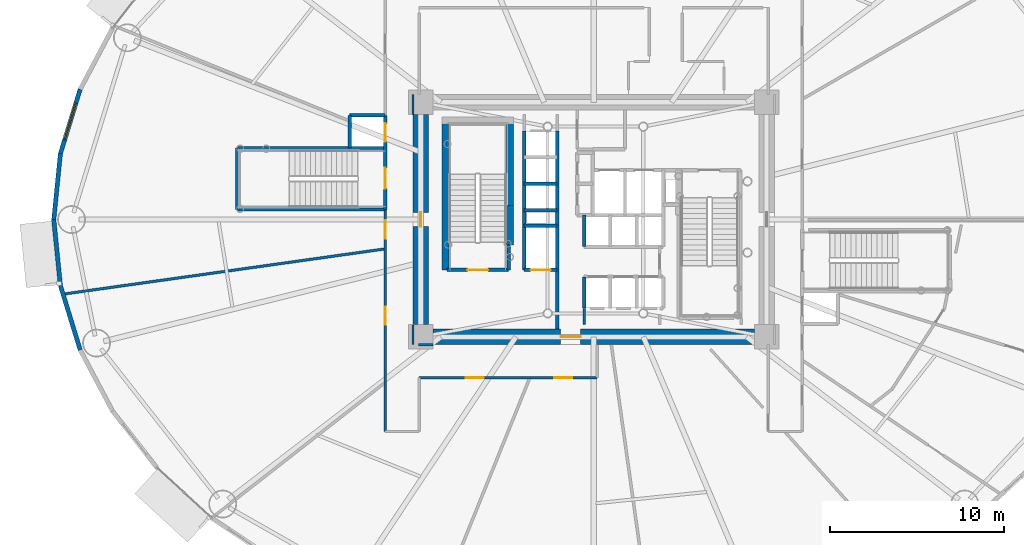
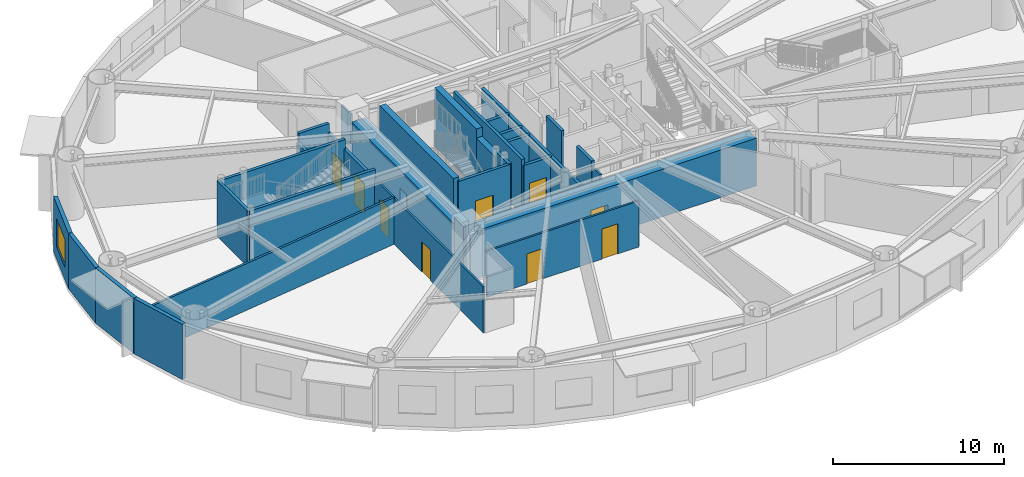
# One storey, part 16 of 32: 32 walls, 10 doors, 1 window, 11 openings.
"""IFC4 building model written with IfcOpenShell, lengths in metres."""

from ifc_helpers import new_model, si_unit, direction, frame, frame_2d, origin, origin_2d, place, context, subcontext, project, spatial, rectangle, extrude, source, transform, mapped, material, layer, layer_set, type_object, element, fill, save


model = new_model("IFC4")

# Units and contexts
model_context = context("Model", 3, precision=1e-05, world=origin(), true_north=direction((0.0, 1.0)))
body_context = subcontext(model_context, "Body", "Model", "MODEL_VIEW")
ifc_project = project(units=[si_unit("LENGTHUNIT", "METRE"), si_unit("AREAUNIT", "SQUARE_METRE"), si_unit("VOLUMEUNIT", "CUBIC_METRE"), si_unit("PLANEANGLEUNIT", "RADIAN"), si_unit("MASSUNIT", "GRAM", prefix="KILO")], contexts=[model_context])

# Site, building, storey
site_placement = place(None, origin())
site = spatial("IfcSite", under=ifc_project, at=site_placement, CompositionType="ELEMENT")
building_placement = place(site_placement, origin())
building = spatial("IfcBuilding", under=site, at=building_placement, Name="Linh Dai School and Residence Tower", CompositionType="ELEMENT")
storey_placement = place(building_placement, frame((0.0, 0.0, 40.800048828125)))
storey = spatial("IfcBuildingStorey", under=building, at=storey_placement, Name="L09", CompositionType="ELEMENT", Elevation=40.800048828125)

# Wall, opening, window
ifc_material_1 = material(Name="Precast Concrete B45 (C35/45)", Category="concrete")
ifc_layer_1 = layer(ifc_material_1, 0.25)
ifc_layer_set_1 = layer_set([ifc_layer_1], Name="Precast Concrete B45 (C35/45)")
wall_type_1 = type_object("IfcWallType", Name="EW-TC-250", PredefinedType="SOLIDWALL", material=ifc_layer_set_1)
wall_1_placement = place(storey_placement, frame((5.306640625, 30.796875, 0.0), z_axis=(0.0, 0.0, 1.0), x_axis=(0.293111631758, 0.956078224482, 0.0)))
wall_1 = element("IfcWall", 1, at=wall_1_placement, inside=storey, type_object=wall_type_1, Name="L09 Terracotta Exterior Wall 19", PredefinedType="SOLIDWALL", context=body_context, shape_type="SweptSolid", body=[
    extrude(rectangle(XDim=3.874755859375, YDim=0.25, at=frame_2d((1.9375, 0.0))), origin(), (0.0, 0.0, 1.0), 3.949951171875),
])
opening_1_placement = place(wall_1_placement, frame((0.83740234375, 0.0, 0.89990234375)))
opening_1 = element("IfcOpeningElement", 2, at=opening_1_placement, cuts=wall_1, Name="Opening W4", PredefinedType="OPENING", context=body_context, shape_type="SweptSolid", body=[
    extrude(rectangle(XDim=2.199951171875, YDim=2.0, at=origin_2d()), frame((1.10009765625, 0.135009765625, 1.0), z_axis=(0.0, -1.0, 0.0), x_axis=(1.0, 0.0, 0.0)), (0.0, 0.0, 1.0), 0.27001953125),
])
ifc_material_2 = material(Name="Acoustic Laminated Low-E Glazing", Category="glass")
window_type = type_object("IfcWindowType", Name="WN-SCH-2200x2000", PartitioningType="TRIPLE_PANEL_VERTICAL", PredefinedType="WINDOW", material=ifc_material_2)
shared_shape_1 = source(origin(), body_context, "Body", "SweptSolid", [
    extrude(rectangle(XDim=2.199951171875, YDim=2.0, at=origin_2d()), frame((1.10009765625, 0.030029296875, 1.0), z_axis=(0.0, -1.0, 0.0), x_axis=(1.0, 0.0, 0.0)), (0.0, 0.0, 1.0), 0.06005859375),
])
window_placement = place(opening_1_placement, origin())
window = element("IfcWindow", 3, at=window_placement, inside=storey, type_object=window_type, Name="L09 Exterior Window 19.1", OverallHeight=2.0, OverallWidth=2.199951171875, PartitioningType="TRIPLE_PANEL_VERTICAL", PredefinedType="WINDOW", context=body_context, shape_type="MappedRepresentation", body=[
    mapped(shared_shape_1, transform((0.0, 0.0, 0.0), x_axis=(1.0, 0.0, 0.0), y_axis=(0.0, 1.0, 0.0), z_axis=(0.0, 0.0, 1.0), scale=1.0)),
])
fill(opening_1, window)

# Walls
for number, where, z_axis, x_axis, name in (
    (4, (4.925048828125, 27.0, 0.0), (0.0, 0.0, 1.0), (0.099997795174, 0.994987658698, 0.0), "L09 Terracotta Exterior Wall 20"),
    (5, (5.306640625, 23.203125, 0.0), (0.0, 0.0, 1.0), (-0.099997795174, 0.994987658698, 0.0), "L09 Terracotta Exterior Wall 21"),
):
    element("IfcWall", number, at=place(storey_placement, frame(where, z_axis=z_axis, x_axis=x_axis)), inside=storey, type_object=wall_type_1, Name=name, PredefinedType="SOLIDWALL", context=body_context, shape_type="SweptSolid", body=[
        extrude(rectangle(XDim=3.81591796875, YDim=0.25, at=frame_2d((1.907958984375, 0.0))), origin(), (0.0, 0.0, 1.0), 3.949951171875),
    ])
wall_2_placement = place(storey_placement, frame((6.4423828125, 19.49853515625, 0.0), z_axis=(0.0, 0.0, 1.0), x_axis=(-0.293111631758, 0.956078224482, 0.0)))
element("IfcWall", 6, at=wall_2_placement, inside=storey, type_object=wall_type_1, Name="L09 Terracotta Exterior Wall 22", PredefinedType="SOLIDWALL", context=body_context, shape_type="SweptSolid", body=[
    extrude(rectangle(XDim=3.874755859375, YDim=0.25, at=frame_2d((1.9375, 0.0))), origin(), (0.0, 0.0, 1.0), 3.949951171875),
])

# Wall, openings, doors
ifc_material_3 = material(Name="Autoclaved Aerated Concrete Blockwork", Category="masonry")
ifc_layer_2 = layer(ifc_material_3, 0.135009765625)
ifc_layer_set_2 = layer_set([ifc_layer_2], Name="Autoclaved Aerated Concrete Blockwork")
wall_type_2 = type_object("IfcWallType", Name="IW-CORR-135-EI90", PredefinedType="PARTITIONING", material=ifc_layer_set_2)
wall_3_placement = place(storey_placement, frame((24.0, 14.800048828125, 0.0), z_axis=(0.0, 0.0, 1.0), x_axis=(0.0, 1.0, 0.0)))
wall_3 = element("IfcWall", 7, at=wall_3_placement, inside=storey, type_object=wall_type_2, Name="L09 Interior Partition Wall 010", PredefinedType="PARTITIONING", context=body_context, shape_type="SweptSolid", body=[
    extrude(rectangle(XDim=12.780029296875, YDim=0.135009765625, at=frame_2d((6.39013671875, 0.0))), origin(), (0.0, 0.0, 1.0), 3.284912109375),
])
opening_2_placement = place(wall_3_placement, frame((11.101806640625, 0.0, 0.0)))
opening_2 = element("IfcOpeningElement", 8, at=opening_2_placement, cuts=wall_3, Name="Opening D04", PredefinedType="OPENING", context=body_context, shape_type="SweptSolid", body=[
    extrude(rectangle(XDim=1.050048828125, YDim=2.14990234375, at=origin_2d()), frame((0.52490234375, 0.07763671875, 1.074951171875), z_axis=(0.0, -1.0, 0.0), x_axis=(1.0, 0.0, 0.0)), (0.0, 0.0, 1.0), 0.155029296875),
])
opening_3_placement = place(wall_3_placement, frame((6.14404296875, 0.0, 0.0)))
opening_3 = element("IfcOpeningElement", 9, at=opening_3_placement, cuts=wall_3, Name="Opening D04", PredefinedType="OPENING", context=body_context, shape_type="SweptSolid", body=[
    extrude(rectangle(XDim=1.050048828125, YDim=2.14990234375, at=origin_2d()), frame((0.52490234375, 0.07763671875, 1.074951171875), z_axis=(0.0, -1.0, 0.0), x_axis=(1.0, 0.0, 0.0)), (0.0, 0.0, 1.0), 0.155029296875),
])
ifc_material_4 = material(Name="Acoustic Vision-Panel Timber Classroom Door", Category="wood")
door_type_1 = type_object("IfcDoorType", Name="DR-SCH-1050x2150-FD60S", OperationType="NOTDEFINED", PredefinedType="DOOR", material=ifc_material_4)
shared_shape_2 = source(origin(), body_context, "Body", "SweptSolid", [
    extrude(rectangle(XDim=1.050048828125, YDim=2.14990234375, at=origin_2d()), frame((0.52490234375, 0.02490234375, 1.074951171875), z_axis=(0.0, -1.0, 0.0), x_axis=(1.0, 0.0, 0.0)), (0.0, 0.0, 1.0), 0.050048828125),
])
door_1_placement = place(opening_2_placement, origin())
door_1 = element("IfcDoor", 10, at=door_1_placement, inside=storey, type_object=door_type_1, Name="L09 Secondary Classroom 5 Door", OperationType="SINGLE_SWING_RIGHT", OverallHeight=2.14990234375, OverallWidth=1.050048828125, PredefinedType="DOOR", context=body_context, shape_type="MappedRepresentation", body=[
    mapped(shared_shape_2, transform((0.0, 0.0, 0.0), x_axis=(1.0, 0.0, 0.0), y_axis=(0.0, 1.0, 0.0), z_axis=(0.0, 0.0, 1.0), scale=1.0)),
])
fill(opening_2, door_1)
door_2_placement = place(opening_3_placement, origin())
door_2 = element("IfcDoor", 11, at=door_2_placement, inside=storey, type_object=door_type_1, Name="L09 Secondary Classroom 6 Door", OperationType="SINGLE_SWING_LEFT", OverallHeight=2.14990234375, OverallWidth=1.050048828125, PredefinedType="DOOR", context=body_context, shape_type="MappedRepresentation", body=[
    mapped(shared_shape_2, transform((0.0, 0.0, 0.0), x_axis=(1.0, 0.0, 0.0), y_axis=(0.0, 1.0, 0.0), z_axis=(0.0, 0.0, 1.0), scale=1.0)),
])
fill(opening_3, door_2)

wall_4_placement = place(storey_placement, frame((25.949951171875, 17.89990234375, 0.0), z_axis=(0.0, 0.0, 1.0), x_axis=(1.0, 0.0, 0.0)))
wall_4 = element("IfcWall", 12, at=wall_4_placement, inside=storey, type_object=wall_type_2, Name="L09 Interior Partition Wall 016", PredefinedType="PARTITIONING", context=body_context, shape_type="SweptSolid", body=[
    extrude(rectangle(XDim=10.25, YDim=0.135009765625, at=frame_2d((5.125, 0.0))), origin(), (0.0, 0.0, 1.0), 3.284912109375),
])
opening_4_placement = place(wall_4_placement, frame((2.681640625, 0.0, 0.0)))
opening_4 = element("IfcOpeningElement", 13, at=opening_4_placement, cuts=wall_4, Name="Opening D04", PredefinedType="OPENING", context=body_context, shape_type="SweptSolid", body=[
    extrude(rectangle(XDim=1.050048828125, YDim=2.14990234375, at=origin_2d()), frame((0.52490234375, 0.07763671875, 1.074951171875), z_axis=(0.0, -1.0, 0.0), x_axis=(1.0, 0.0, 0.0)), (0.0, 0.0, 1.0), 0.155029296875),
])
opening_5_placement = place(wall_4_placement, frame((7.7666015625, 0.0, 0.0)))
opening_5 = element("IfcOpeningElement", 14, at=opening_5_placement, cuts=wall_4, Name="Opening D04", PredefinedType="OPENING", context=body_context, shape_type="SweptSolid", body=[
    extrude(rectangle(XDim=1.050048828125, YDim=2.14990234375, at=origin_2d()), frame((0.52490234375, 0.07763671875, 1.074951171875), z_axis=(0.0, -1.0, 0.0), x_axis=(1.0, 0.0, 0.0)), (0.0, 0.0, 1.0), 0.155029296875),
])
door_3_placement = place(opening_4_placement, origin())
door_3 = element("IfcDoor", 15, at=door_3_placement, inside=storey, type_object=door_type_1, Name="L09 Secondary Classroom 7 Door", OperationType="SINGLE_SWING_RIGHT", OverallHeight=2.14990234375, OverallWidth=1.050048828125, PredefinedType="DOOR", context=body_context, shape_type="MappedRepresentation", body=[
    mapped(shared_shape_2, transform((0.0, 0.0, 0.0), x_axis=(1.0, 0.0, 0.0), y_axis=(0.0, 1.0, 0.0), z_axis=(0.0, 0.0, 1.0), scale=1.0)),
])
fill(opening_4, door_3)
door_4_placement = place(opening_5_placement, origin())
door_4 = element("IfcDoor", 16, at=door_4_placement, inside=storey, type_object=door_type_1, Name="L09 Secondary Classroom 8 Door", OperationType="SINGLE_SWING_LEFT", OverallHeight=2.14990234375, OverallWidth=1.050048828125, PredefinedType="DOOR", context=body_context, shape_type="MappedRepresentation", body=[
    mapped(shared_shape_2, transform((0.0, 0.0, 0.0), x_axis=(1.0, 0.0, 0.0), y_axis=(0.0, 1.0, 0.0), z_axis=(0.0, 0.0, 1.0), scale=1.0)),
])
fill(opening_5, door_4)

# Walls
wall_5_placement = place(storey_placement, frame((35.449951171875, 21.889892578125, 0.0), z_axis=(0.0, 0.0, 1.0), x_axis=(0.0, -1.0, 0.0)))
element("IfcWall", 17, at=wall_5_placement, inside=storey, type_object=wall_type_2, Name="L09 Interior Partition Wall 083", PredefinedType="PARTITIONING", context=body_context, shape_type="SweptSolid", body=[
    extrude(rectangle(XDim=0.929931640625, YDim=0.135009765625, at=frame_2d((0.46484375, 0.0))), origin(), (0.0, 0.0, 1.0), 3.534912109375),
])
for number, where, z_axis, x_axis, name in (
    (18, (25.60009765625, 34.199951171875, 0.0), (0.0, 0.0, 1.0), (0.0, -1.0, 0.0), "L09 Interior Partition Wall 101"),
    (19, (25.60009765625, 20.93994140625, 0.0), (0.0, 0.0, 1.0), (0.0, -1.0, 0.0), "L09 Interior Partition Wall 102"),
):
    element("IfcWall", number, at=place(storey_placement, frame(where, z_axis=z_axis, x_axis=x_axis)), inside=storey, type_object=wall_type_2, Name=name, PredefinedType="PARTITIONING", context=body_context, shape_type="SweptSolid", body=[
        extrude(rectangle(XDim=1.139892578125, YDim=0.135009765625, at=frame_2d((0.56982421875, 0.0))), origin(), (0.0, 0.0, 1.0), 3.949951171875),
    ])
wall_6_placement = place(storey_placement, frame((25.907470703125, 19.800048828125, 0.0), z_axis=(0.0, 0.0, 1.0), x_axis=(1.0, 0.0, 0.0)))
element("IfcWall", 20, at=wall_6_placement, inside=storey, type_object=wall_type_2, Name="L09 Interior Partition Wall 103", PredefinedType="PARTITIONING", context=body_context, shape_type="SweptSolid", body=[
    extrude(rectangle(XDim=0.83251953125, YDim=0.135009765625, at=frame_2d((0.416259765625, 0.0))), origin(), (0.0, 0.0, 1.0), 3.284912109375),
])
ifc_layer_3 = layer(ifc_material_3, 0.14990234375)
ifc_layer_set_3 = layer_set([ifc_layer_3], Name="Autoclaved Aerated Concrete Blockwork")
wall_type_3 = type_object("IfcWallType", Name="IW-SCH-150-EI60", PredefinedType="PARTITIONING", material=ifc_layer_set_3)
wall_7_placement = place(storey_placement, frame((5.45361328125, 22.70703125, 0.0), z_axis=(0.0, 0.0, 1.0), x_axis=(0.990268652703, 0.139168945795, 0.0)))
element("IfcWall", 21, at=wall_7_placement, inside=storey, type_object=wall_type_3, Name="L09 Interior Partition Wall 001", PredefinedType="PARTITIONING", context=body_context, shape_type="SweptSolid", body=[
    extrude(rectangle(XDim=18.728759765625, YDim=0.14990234375, at=frame_2d((9.3642578125, 0.0))), origin(), (0.0, 0.0, 1.0), 3.3349609375),
])
ifc_material_5 = material(Name="Concrete B45 (C35/45)", Category="concrete")
ifc_layer_4 = layer(ifc_material_5, 0.199951171875)
ifc_layer_set_4 = layer_set([ifc_layer_4], Name="Concrete B45 (C35/45)")
wall_type_4 = type_object("IfcWallType", Name="IW-SHAFT-200-EI120", PredefinedType="PARTITIONING", material=ifc_layer_set_4)
wall_8_placement = place(storey_placement, frame((15.47998046875, 27.580078125, 0.0), z_axis=(0.0, 0.0, 1.0), x_axis=(0.0, 1.0, 0.0)))
element("IfcWall", 22, at=wall_8_placement, inside=storey, type_object=wall_type_4, Name="L09 Interior Partition Wall 004", PredefinedType="PARTITIONING", context=body_context, shape_type="SweptSolid", body=[
    extrude(rectangle(XDim=3.5400390625, YDim=0.199951171875, at=frame_2d((1.77001953125, 0.0))), origin(), (0.0, 0.0, 1.0), 3.949951171875),
])
for number, where, z_axis, x_axis, name in (
    (23, (15.47998046875, 27.580078125, 0.0), (0.0, 0.0, 1.0), (1.0, 0.0, 0.0), "L09 Interior Partition Wall 005"),
    (24, (15.47998046875, 31.1201171875, 0.0), (0.0, 0.0, 1.0), (1.0, 0.0, 0.0), "L09 Interior Partition Wall 006"),
):
    element("IfcWall", number, at=place(storey_placement, frame(where, z_axis=z_axis, x_axis=x_axis)), inside=storey, type_object=wall_type_4, Name=name, PredefinedType="PARTITIONING", context=body_context, shape_type="SweptSolid", body=[
        extrude(rectangle(XDim=8.52001953125, YDim=0.199951171875, at=frame_2d((4.260009765625, 0.0))), origin(), (0.0, 0.0, 1.0), 3.949951171875),
    ])
wall_9_placement = place(storey_placement, frame((21.949951171875, 31.1201171875, 0.0), z_axis=(0.0, 0.0, 1.0), x_axis=(0.0, 1.0, 0.0)))
element("IfcWall", 25, at=wall_9_placement, inside=storey, type_object=wall_type_4, Name="L09 Interior Partition Wall 007", PredefinedType="PARTITIONING", context=body_context, shape_type="SweptSolid", body=[
    extrude(rectangle(XDim=1.8798828125, YDim=0.199951171875, at=frame_2d((0.93994140625, 0.0))), origin(), (0.0, 0.0, 1.0), 3.284912109375),
])
wall_10_placement = place(storey_placement, frame((21.949951171875, 33.0, 0.0), z_axis=(0.0, 0.0, 1.0), x_axis=(1.0, 0.0, 0.0)))
element("IfcWall", 26, at=wall_10_placement, inside=storey, type_object=wall_type_4, Name="L09 Interior Partition Wall 008", PredefinedType="PARTITIONING", context=body_context, shape_type="SweptSolid", body=[
    extrude(rectangle(XDim=2.050048828125, YDim=0.199951171875, at=frame_2d((1.02490234375, 0.0))), origin(), (0.0, 0.0, 1.0), 3.949951171875),
])

# Wall, openings, doors
wall_11_placement = place(storey_placement, frame((24.0, 27.590087890625, 0.0), z_axis=(0.0, 0.0, 1.0), x_axis=(0.0, 1.0, 0.0)))
wall_11 = element("IfcWall", 27, at=wall_11_placement, inside=storey, type_object=wall_type_4, Name="L09 Interior Partition Wall 012", PredefinedType="PARTITIONING", context=body_context, shape_type="SweptSolid", body=[
    extrude(rectangle(XDim=5.409912109375, YDim=0.199951171875, at=frame_2d((2.705078125, 0.0))), origin(), (0.0, 0.0, 1.0), 3.284912109375),
])
opening_6_placement = place(wall_11_placement, frame((1.18505859375, 0.0, 0.0)))
opening_6 = element("IfcOpeningElement", 28, at=opening_6_placement, cuts=wall_11, Name="Opening D01", PredefinedType="OPENING", context=body_context, shape_type="SweptSolid", body=[
    extrude(rectangle(XDim=1.199951171875, YDim=2.14990234375, at=origin_2d()), frame((0.60009765625, 0.10986328125, 1.074951171875), z_axis=(0.0, -1.0, 0.0), x_axis=(1.0, 0.0, 0.0)), (0.0, 0.0, 1.0), 0.219970703125),
])
opening_7_placement = place(wall_11_placement, frame((3.889892578125, 0.0, 0.0)))
opening_7 = element("IfcOpeningElement", 29, at=opening_7_placement, cuts=wall_11, Name="Opening LD-SL1", PredefinedType="OPENING", context=body_context, shape_type="SweptSolid", body=[
    extrude(rectangle(XDim=1.050048828125, YDim=2.14990234375, at=origin_2d()), frame((0.52490234375, 0.10986328125, 1.074951171875), z_axis=(0.0, -1.0, 0.0), x_axis=(1.0, 0.0, 0.0)), (0.0, 0.0, 1.0), 0.219970703125),
])
ifc_material_6 = material(Name="Fire-Rated Steel Door Leaf", Category="steel")
door_type_2 = type_object("IfcDoorType", Name="DR-STAIR-1200x2150-FD90S", OperationType="NOTDEFINED", PredefinedType="DOOR", material=ifc_material_6)
shared_shape_3 = source(origin(), body_context, "Body", "SweptSolid", [
    extrude(rectangle(XDim=1.199951171875, YDim=2.14990234375, at=origin_2d()), frame((0.60009765625, 0.02490234375, 1.074951171875), z_axis=(0.0, -1.0, 0.0), x_axis=(1.0, 0.0, 0.0)), (0.0, 0.0, 1.0), 0.050048828125),
])
door_5_placement = place(opening_6_placement, origin())
door_5 = element("IfcDoor", 30, at=door_5_placement, inside=storey, type_object=door_type_2, Name="L09 Exit Stair STS1 Door", OperationType="SINGLE_SWING_LEFT", OverallHeight=2.14990234375, OverallWidth=1.199951171875, PredefinedType="DOOR", context=body_context, shape_type="MappedRepresentation", body=[
    mapped(shared_shape_3, transform((0.0, 0.0, 0.0), x_axis=(1.0, 0.0, 0.0), y_axis=(0.0, 1.0, 0.0), z_axis=(0.0, 0.0, 1.0), scale=1.0)),
])
fill(opening_6, door_5)
ifc_material_7 = material(Name="Brushed Stainless Steel Lift Landing Door", Category="steel")
door_type_3 = type_object("IfcDoorType", Name="DR-LD-PASS-1050x2150", OperationType="DOUBLE_DOOR_SLIDING", PredefinedType="USERDEFINED", material=ifc_material_7)
shared_shape_4 = source(origin(), body_context, "Body", "SweptSolid", [
    extrude(rectangle(XDim=1.050048828125, YDim=2.14990234375, at=origin_2d()), frame((0.52490234375, 0.02490234375, 1.074951171875), z_axis=(0.0, -1.0, 0.0), x_axis=(1.0, 0.0, 0.0)), (0.0, 0.0, 1.0), 0.050048828125),
])
door_6_placement = place(opening_7_placement, origin())
door_6 = element("IfcDoor", 31, at=door_6_placement, inside=storey, type_object=door_type_3, Name="L09 Lift SL1 Sliding Landing Door", ObjectType="LANDING DOOR", OperationType="DOUBLE_DOOR_SLIDING", OverallHeight=2.14990234375, OverallWidth=1.050048828125, PredefinedType="USERDEFINED", context=body_context, shape_type="MappedRepresentation", body=[
    mapped(shared_shape_4, transform((0.0, 0.0, 0.0), x_axis=(1.0, 0.0, 0.0), y_axis=(0.0, 1.0, 0.0), z_axis=(0.0, 0.0, 1.0), scale=1.0)),
])
fill(opening_7, door_6)

# Wall, opening, door
wall_12_placement = place(storey_placement, frame((27.56005859375, 24.10009765625, 0.0), z_axis=(0.0, 0.0, 1.0), x_axis=(1.0, 0.0, 0.0)))
wall_12 = element("IfcWall", 32, at=wall_12_placement, inside=storey, type_object=wall_type_4, Name="L09 Interior Partition Wall 018", PredefinedType="PARTITIONING", context=body_context, shape_type="SweptSolid", body=[
    extrude(rectangle(XDim=3.5400390625, YDim=0.199951171875, at=frame_2d((1.77001953125, 0.0))), origin(), (0.0, 0.0, 1.0), 3.949951171875),
])
opening_8_placement = place(wall_12_placement, frame((1.169921875, 0.0, 0.0)))
opening_8 = element("IfcOpeningElement", 33, at=opening_8_placement, cuts=wall_12, Name="Opening D01", PredefinedType="OPENING", context=body_context, shape_type="SweptSolid", body=[
    extrude(rectangle(XDim=1.199951171875, YDim=2.14990234375, at=origin_2d()), frame((0.60009765625, 0.10986328125, 1.074951171875), z_axis=(0.0, -1.0, 0.0), x_axis=(1.0, 0.0, 0.0)), (0.0, 0.0, 1.0), 0.219970703125),
])
door_7_placement = place(opening_8_placement, origin())
door_7 = element("IfcDoor", 34, at=door_7_placement, inside=storey, type_object=door_type_2, Name="L09 Core Smokeproof Exit Stair ST1 Door", OperationType="SINGLE_SWING_LEFT", OverallHeight=2.14990234375, OverallWidth=1.199951171875, PredefinedType="DOOR", context=body_context, shape_type="MappedRepresentation", body=[
    mapped(shared_shape_3, transform((0.0, 0.0, 0.0), x_axis=(1.0, 0.0, 0.0), y_axis=(0.0, 1.0, 0.0), z_axis=(0.0, 0.0, 1.0), scale=1.0)),
])
fill(opening_8, door_7)

# Walls
wall_13_placement = place(storey_placement, frame((31.10009765625, 24.10009765625, 0.0), z_axis=(0.0, 0.0, 1.0), x_axis=(0.0, 1.0, 0.0)))
element("IfcWall", 35, at=wall_13_placement, inside=storey, type_object=wall_type_4, Name="L09 Interior Partition Wall 019", PredefinedType="PARTITIONING", context=body_context, shape_type="SweptSolid", body=[
    extrude(rectangle(XDim=1.43994140625, YDim=0.199951171875, at=frame_2d((0.719970703125, 0.0))), origin(), (0.0, 0.0, 1.0), 3.949951171875),
])
wall_14_placement = place(storey_placement, frame((32.0, 24.10009765625, 0.0), z_axis=(0.0, 0.0, 1.0), x_axis=(0.0, 1.0, 0.0)))
element("IfcWall", 36, at=wall_14_placement, inside=storey, type_object=wall_type_4, Name="L09 Interior Partition Wall 020", PredefinedType="PARTITIONING", context=body_context, shape_type="SweptSolid", body=[
    extrude(rectangle(XDim=8.0, YDim=0.199951171875, at=frame_2d((4.0, 0.0))), origin(), (0.0, 0.0, 1.0), 3.949951171875),
])

# Wall, opening, door
wall_15_placement = place(storey_placement, frame((32.0, 24.10009765625, 0.0), z_axis=(0.0, 0.0, 1.0), x_axis=(1.0, 0.0, 0.0)))
wall_15 = element("IfcWall", 37, at=wall_15_placement, inside=storey, type_object=wall_type_4, Name="L09 Interior Partition Wall 021", PredefinedType="PARTITIONING", context=body_context, shape_type="SweptSolid", body=[
    extrude(rectangle(XDim=1.89990234375, YDim=0.199951171875, at=frame_2d((0.949951171875, 0.0))), origin(), (0.0, 0.0, 1.0), 3.534912109375),
])
opening_9_placement = place(wall_15_placement, frame((0.375, 0.0, 0.0)))
opening_9 = element("IfcOpeningElement", 38, at=opening_9_placement, cuts=wall_15, Name="Opening LD-FF2", PredefinedType="OPENING", context=body_context, shape_type="SweptSolid", body=[
    extrude(rectangle(XDim=1.14990234375, YDim=2.14990234375, at=origin_2d()), frame((0.574951171875, 0.10986328125, 1.074951171875), z_axis=(0.0, -1.0, 0.0), x_axis=(1.0, 0.0, 0.0)), (0.0, 0.0, 1.0), 0.219970703125),
])
ifc_material_8 = material(Name="Fire-Rated Stainless Steel Firefighting Lift Door", Category="steel")
door_type_4 = type_object("IfcDoorType", Name="DR-LD-FF-1150x2150-FD120", OperationType="DOUBLE_DOOR_SLIDING", PredefinedType="USERDEFINED", material=ifc_material_8)
shared_shape_5 = source(origin(), body_context, "Body", "SweptSolid", [
    extrude(rectangle(XDim=1.14990234375, YDim=2.14990234375, at=origin_2d()), frame((0.574951171875, 0.02490234375, 1.074951171875), z_axis=(0.0, -1.0, 0.0), x_axis=(1.0, 0.0, 0.0)), (0.0, 0.0, 1.0), 0.050048828125),
])
door_8_placement = place(opening_9_placement, origin())
door_8 = element("IfcDoor", 39, at=door_8_placement, inside=storey, type_object=door_type_4, Name="L09 Lift FF2 Sliding Landing Door", ObjectType="LANDING DOOR", OperationType="DOUBLE_DOOR_SLIDING", OverallHeight=2.14990234375, OverallWidth=1.14990234375, PredefinedType="USERDEFINED", context=body_context, shape_type="MappedRepresentation", body=[
    mapped(shared_shape_5, transform((0.0, 0.0, 0.0), x_axis=(1.0, 0.0, 0.0), y_axis=(0.0, 1.0, 0.0), z_axis=(0.0, 0.0, 1.0), scale=1.0)),
])
fill(opening_9, door_8)

# Walls
for number, where, z_axis, x_axis, name in (
    (40, (32.0, 26.64990234375, 0.0), (0.0, 0.0, 1.0), (1.0, 0.0, 0.0), "L09 Interior Partition Wall 022"),
    (41, (32.0, 27.550048828125, 0.0), (0.0, 0.0, 1.0), (1.0, 0.0, 0.0), "L09 Interior Partition Wall 023"),
    (42, (32.0, 29.06005859375, 0.0), (0.0, 0.0, 1.0), (1.0, 0.0, 0.0), "L09 Interior Partition Wall 024"),
):
    element("IfcWall", number, at=place(storey_placement, frame(where, z_axis=z_axis, x_axis=x_axis)), inside=storey, type_object=wall_type_4, Name=name, PredefinedType="PARTITIONING", context=body_context, shape_type="SweptSolid", body=[
        extrude(rectangle(XDim=1.89990234375, YDim=0.199951171875, at=frame_2d((0.949951171875, 0.0))), origin(), (0.0, 0.0, 1.0), 3.534912109375),
    ])
wall_16_placement = place(storey_placement, frame((33.89990234375, 20.699951171875, 0.0), z_axis=(0.0, 0.0, 1.0), x_axis=(0.0, 1.0, 0.0)))
element("IfcWall", 43, at=wall_16_placement, inside=storey, type_object=wall_type_4, Name="L09 Interior Partition Wall 026", PredefinedType="PARTITIONING", context=body_context, shape_type="SweptSolid", body=[
    extrude(rectangle(XDim=11.400146484375, YDim=0.199951171875, at=frame_2d((5.7001953125, 0.0))), origin(), (0.0, 0.0, 1.0), 3.534912109375),
])
for number, where, z_axis, x_axis, name in (
    (44, (35.449951171875, 21.89990234375, 0.0), (0.0, 0.0, 1.0), (0.0, 1.0, 0.0), "L09 Interior Partition Wall 033"),
    (45, (35.449951171875, 25.449951171875, 0.0), (0.0, 0.0, 1.0), (0.0, 1.0, 0.0), "L09 Interior Partition Wall 035"),
):
    element("IfcWall", number, at=place(storey_placement, frame(where, z_axis=z_axis, x_axis=x_axis)), inside=storey, type_object=wall_type_4, Name=name, PredefinedType="PARTITIONING", context=body_context, shape_type="SweptSolid", body=[
        extrude(rectangle(XDim=1.800048828125, YDim=0.199951171875, at=frame_2d((0.89990234375, 0.0))), origin(), (0.0, 0.0, 1.0), 3.949951171875),
    ])
ifc_layer_5 = layer(ifc_material_5, 0.39990234375)
ifc_layer_set_5 = layer_set([ifc_layer_5], Name="Concrete B45 (C35/45)")
wall_type_5 = type_object("IfcWallType", Name="WL-CORE400", PredefinedType="SHEAR", material=ifc_layer_set_5)
wall_17_placement = place(storey_placement, frame((27.47998046875, 24.10009765625, 0.0), z_axis=(0.0, 0.0, 1.0), x_axis=(0.0, 1.0, 0.0)))
element("IfcWall", 46, at=wall_17_placement, inside=storey, type_object=wall_type_5, Name="L09 Core Stair ST1 Bearing Wall W", PredefinedType="SHEAR", context=body_context, shape_type="SweptSolid", body=[
    extrude(rectangle(XDim=8.599853515625, YDim=0.39990234375, at=frame_2d((4.2998046875, 0.0))), origin(), (0.0, 0.0, 1.0), 4.199951171875),
])
wall_18_placement = place(storey_placement, frame((31.179931640625, 27.800048828125, 0.0), z_axis=(0.0, 0.0, 1.0), x_axis=(0.0, 1.0, 0.0)))
element("IfcWall", 47, at=wall_18_placement, inside=storey, type_object=wall_type_5, Name="L09 Core Stair ST1 Bearing Wall E", PredefinedType="SHEAR", context=body_context, shape_type="SweptSolid", body=[
    extrude(rectangle(XDim=4.89990234375, YDim=0.39990234375, at=frame_2d((2.449951171875, 0.0))), origin(), (0.0, 0.0, 1.0), 4.199951171875),
])
wall_19_placement = place(storey_placement, frame((31.179931640625, 25.550048828125, 0.0), z_axis=(0.0, 0.0, 1.0), x_axis=(0.0, 1.0, 0.0)))
element("IfcWall", 48, at=wall_19_placement, inside=storey, type_object=wall_type_5, Name="L09 Internal Core Shear Wall IW", PredefinedType="SHEAR", context=body_context, shape_type="SweptSolid", body=[
    extrude(rectangle(XDim=2.25, YDim=0.39990234375, at=frame_2d((1.125, 0.0))), origin(), (0.0, 0.0, 1.0), 3.550048828125),
])

# Wall, opening, door
ifc_material_9 = material(Name="Concrete B60 (C50/60)", Category="concrete")
ifc_layer_6 = layer(ifc_material_9, 0.89990234375)
ifc_layer_set_6 = layer_set([ifc_layer_6], Name="Concrete B60 (C50/60)")
wall_type_6 = type_object("IfcWallType", Name="WL-CORE900", PredefinedType="SHEAR", material=ifc_layer_set_6)
wall_20_placement = place(storey_placement, frame((45.25, 20.25, 0.0), z_axis=(0.0, 0.0, 1.0), x_axis=(-1.0, 0.0, 0.0)))
wall_20 = element("IfcWall", 49, at=wall_20_placement, inside=storey, type_object=wall_type_6, Name="L09 Central Core Shear Wall S", PredefinedType="SHEAR", context=body_context, shape_type="SweptSolid", body=[
    extrude(rectangle(XDim=18.5, YDim=0.89990234375, at=frame_2d((9.25, 0.0))), origin(), (0.0, 0.0, 1.0), 3.39990234375),
])
opening_10_placement = place(wall_20_placement, frame((10.0, 0.0, 0.0)))
opening_10 = element("IfcOpeningElement", 50, at=opening_10_placement, cuts=wall_20, Name="Opening D02", PredefinedType="OPENING", context=body_context, shape_type="SweptSolid", body=[
    extrude(rectangle(XDim=1.14990234375, YDim=2.14990234375, at=origin_2d()), frame((0.574951171875, 0.4599609375, 1.074951171875), z_axis=(0.0, -1.0, 0.0), x_axis=(1.0, 0.0, 0.0)), (0.0, 0.0, 1.0), 0.919921875),
])
ifc_material_10 = material(Name="Fire-Rated Glazed Steel Lobby Door", Category="steel")
door_type_5 = type_object("IfcDoorType", Name="DR-LOBBY-1150x2150-FD90S", OperationType="NOTDEFINED", PredefinedType="DOOR", material=ifc_material_10)
shared_shape_6 = source(origin(), body_context, "Body", "SweptSolid", [
    extrude(rectangle(XDim=1.14990234375, YDim=2.14990234375, at=origin_2d()), frame((0.574951171875, 0.02490234375, 1.074951171875), z_axis=(0.0, -1.0, 0.0), x_axis=(1.0, 0.0, 0.0)), (0.0, 0.0, 1.0), 0.050048828125),
])
door_9_placement = place(opening_10_placement, origin())
door_9 = element("IfcDoor", 51, at=door_9_placement, inside=storey, type_object=door_type_5, Name="L09 Passenger Foyer Access Door", OperationType="SINGLE_SWING_RIGHT", OverallHeight=2.14990234375, OverallWidth=1.14990234375, PredefinedType="DOOR", context=body_context, shape_type="MappedRepresentation", body=[
    mapped(shared_shape_6, transform((0.0, 0.0, 0.0), x_axis=(1.0, 0.0, 0.0), y_axis=(0.0, 1.0, 0.0), z_axis=(0.0, 0.0, 1.0), scale=1.0)),
])
fill(opening_10, door_9)

wall_21_placement = place(storey_placement, frame((26.050048828125, 20.949951171875, 0.0), z_axis=(0.0, 0.0, 1.0), x_axis=(0.0, 1.0, 0.0)))
wall_21 = element("IfcWall", 52, at=wall_21_placement, inside=storey, type_object=wall_type_6, Name="L09 Central Core Shear Wall W", PredefinedType="SHEAR", context=body_context, shape_type="SweptSolid", body=[
    extrude(rectangle(XDim=12.10009765625, YDim=0.89990234375, at=frame_2d((6.050048828125, 0.0))), origin(), (0.0, 0.0, 1.0), 3.39990234375),
])
opening_11_placement = place(wall_21_placement, frame((5.639892578125, 0.0, 0.0)))
opening_11 = element("IfcOpeningElement", 53, at=opening_11_placement, cuts=wall_21, Name="Opening D06", PredefinedType="OPENING", context=body_context, shape_type="SweptSolid", body=[
    extrude(rectangle(XDim=0.820068359375, YDim=2.10009765625, at=origin_2d()), frame((0.41015625, 0.4599609375, 1.050048828125), z_axis=(0.0, -1.0, 0.0), x_axis=(1.0, 0.0, 0.0)), (0.0, 0.0, 1.0), 0.919921875),
])
ifc_material_11 = material(Name="Moisture-Resistant Timber Bathroom Door", Category="wood")
door_type_6 = type_object("IfcDoorType", Name="DR-WET-820x2100", OperationType="NOTDEFINED", PredefinedType="DOOR", material=ifc_material_11)
shared_shape_7 = source(origin(), body_context, "Body", "SweptSolid", [
    extrude(rectangle(XDim=0.820068359375, YDim=2.10009765625, at=origin_2d()), frame((0.41015625, 0.02490234375, 1.050048828125), z_axis=(0.0, -1.0, 0.0), x_axis=(1.0, 0.0, 0.0)), (0.0, 0.0, 1.0), 0.050048828125),
])
door_10_placement = place(opening_11_placement, origin())
door_10 = element("IfcDoor", 54, at=door_10_placement, inside=storey, type_object=door_type_6, Name="L09 Firefighting Lobby Door", OperationType="SINGLE_SWING_RIGHT", OverallHeight=2.10009765625, OverallWidth=0.820068359375, PredefinedType="DOOR", context=body_context, shape_type="MappedRepresentation", body=[
    mapped(shared_shape_7, transform((0.0, 0.0, 0.0), x_axis=(1.0, 0.0, 0.0), y_axis=(0.0, 1.0, 0.0), z_axis=(0.0, 0.0, 1.0), scale=1.0)),
])
fill(opening_11, door_10)

save(model, "model.ifc")
